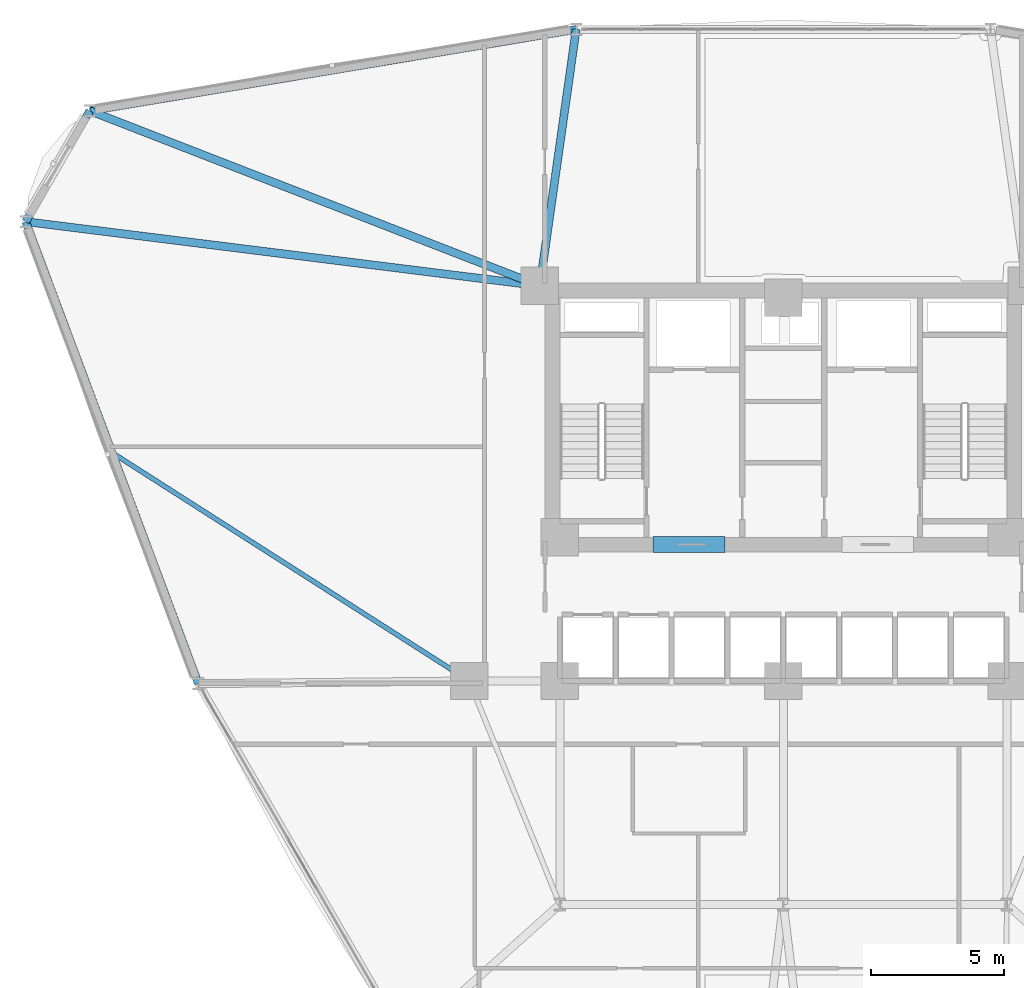
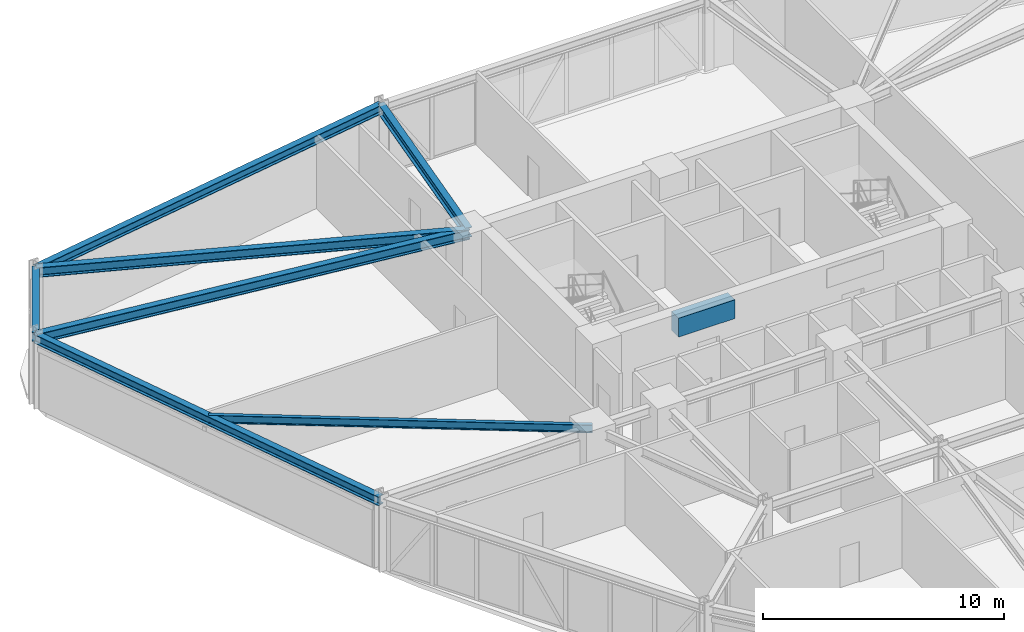
# One storey, part 11 of 22: 8 beams.
"""IFC4 building model written with IfcOpenShell, lengths in metres."""

from ifc_helpers import new_model, si_unit, derived_unit, direction, frame, origin, origin_2d, place, context, subcontext, project, spatial, rectangle, i_section, extrude, source, transform, mapped, material, material_profile, profile_set, type_object, element, save


model = new_model("IFC4")

# Units and contexts
model_context = context("Model", 3, precision=1e-05, world=origin(), true_north=direction((0.0, 1.0)))
body_context = subcontext(model_context, "Body", "Model", "MODEL_VIEW")
ifc_project = project(units=[si_unit("LENGTHUNIT", "METRE"), si_unit("AREAUNIT", "SQUARE_METRE"), si_unit("VOLUMEUNIT", "CUBIC_METRE"), si_unit("PLANEANGLEUNIT", "RADIAN"), si_unit("MASSUNIT", "GRAM", prefix="KILO"), derived_unit("THERMALTRANSMITTANCEUNIT", [(si_unit("POWERUNIT", "WATT"), 1), (si_unit("LENGTHUNIT", "METRE"), -2), (si_unit("THERMODYNAMICTEMPERATUREUNIT", "KELVIN"), -1)])], contexts=[model_context])

# Site, building, storey
site_placement = place(None, origin())
site = spatial("IfcSite", under=ifc_project, at=site_placement, CompositionType="ELEMENT")
building_placement = place(site_placement, origin())
building = spatial("IfcBuilding", under=site, at=building_placement, Name="Korsvarv Bourse and Concert Hall", CompositionType="ELEMENT")
storey_placement = place(building_placement, frame((0.0, 0.0, 51.300048828125)))
storey = spatial("IfcBuildingStorey", under=building, at=storey_placement, Name="L12", CompositionType="ELEMENT", Elevation=51.300048828125)

# Beams
ifc_material_1 = material(Name="Concrete C55/67", Category="concrete")
ifc_material_profile_1 = material_profile(ifc_material_1, rectangle(XDim=0.60009765625, YDim=0.949951171875, at=origin_2d()), Name="RC-BM 600x950")
ifc_profile_set_1 = profile_set([ifc_material_profile_1], Name="Concrete C55/67")
beam_type_1 = type_object("IfcBeamType", Name="BM-CPL", PredefinedType="LINTEL", material=ifc_profile_set_1)
shared_shape_1 = source(origin(), body_context, "Body", "SweptSolid", [
    extrude(rectangle(XDim=0.60009765625, YDim=0.949951171875, at=origin_2d()), origin(), (0.0, 0.0, 1.0), 2.699951171875),
])
beam_1_placement = place(storey_placement, frame((31.10009765625, 37.52490234375, 3.204833984375), z_axis=(1.0, 0.0, 0.0), x_axis=(0.0, 1.0, 0.0)))
element("IfcBeam", 1, at=beam_1_placement, inside=storey, type_object=beam_type_1, Name="L12 Core Coupling Beam West", PredefinedType="LINTEL", context=body_context, shape_type="MappedRepresentation", body=[
    mapped(shared_shape_1, transform((0.0, 0.0, 0.0), scale=1.0)),
])
ifc_material_2 = material(Name="Steel S355", Category="steel")
ifc_material_profile_2 = material_profile(ifc_material_2, i_section(OverallWidth=0.300048828125, OverallDepth=0.449951171875, WebThickness=0.013916015625, FlangeThickness=0.02587890625, FilletRadius=0.02099609375, at=origin_2d()), Name="HEB 450")
ifc_profile_set_2 = profile_set([ifc_material_profile_2], Name="Steel S355")
beam_type_2 = type_object("IfcBeamType", Name="BM-HEB450", PredefinedType="SPANDREL", material=ifc_profile_set_2)
shared_shape_2 = source(origin(), body_context, "Body", "SweptSolid", [
    extrude(i_section(OverallWidth=0.300048828125, OverallDepth=0.449951171875, WebThickness=0.013916015625, FlangeThickness=0.02587890625, FilletRadius=0.02099609375, at=origin_2d()), origin(), (0.0, 0.0, 1.0), 4.810791015625),
])
beam_2_placement = place(storey_placement, frame((9.930908203125, 53.82861328125, 3.454833984375), z_axis=(-0.500019702373, -0.866014028315, 0.0), x_axis=(0.866014028315, -0.500019702373, 0.0)))
element("IfcBeam", 2, at=beam_2_placement, inside=storey, type_object=beam_type_2, Name="L12 beam B-08", PredefinedType="SPANDREL", context=body_context, shape_type="MappedRepresentation", body=[
    mapped(shared_shape_2, transform((0.0, 0.0, 0.0), scale=1.0)),
])
shared_shape_3 = source(origin(), body_context, "Body", "SweptSolid", [
    extrude(i_section(OverallWidth=0.300048828125, OverallDepth=0.449951171875, WebThickness=0.013916015625, FlangeThickness=0.02587890625, FilletRadius=0.02099609375, at=origin_2d()), origin(), (0.0, 0.0, 1.0), 18.538818359375),
])
for number, where, z_axis, x_axis, name in (
    (3, (28.21533203125, 56.889404296875, 3.454833984375), (-0.98627657502, -0.16510153714, 0.0), (0.16510153714, -0.98627657502, 0.0), "L12 beam B-08"),
    (4, (7.525390625, 49.662353515625, 3.454833984375), (0.35015342957, -0.936692359188, 0.0), (0.936692359188, 0.35015342957, 0.0), "L12 beam B-08"),
):
    element("IfcBeam", number, at=place(storey_placement, frame(where, z_axis=z_axis, x_axis=x_axis)), inside=storey, type_object=beam_type_2, Name=name, PredefinedType="SPANDREL", context=body_context, shape_type="MappedRepresentation", body=[
        mapped(shared_shape_3, transform((0.0, 0.0, 0.0), scale=1.0)),
    ])
ifc_material_profile_3 = material_profile(ifc_material_2, i_section(OverallWidth=0.300048828125, OverallDepth=0.5, WebThickness=0.014404296875, FlangeThickness=0.028076171875, FilletRadius=0.02392578125, at=origin_2d()), Name="HEB 500")
ifc_profile_set_3 = profile_set([ifc_material_profile_3], Name="Steel S355")
beam_type_3 = type_object("IfcBeamType", Name="BM-HEB500", PredefinedType="BEAM", material=ifc_profile_set_3)
shared_shape_4 = source(origin(), body_context, "Body", "SweptSolid", [
    extrude(i_section(OverallWidth=0.300048828125, OverallDepth=0.5, WebThickness=0.014404296875, FlangeThickness=0.028076171875, FilletRadius=0.02392578125, at=origin_2d()), origin(), (0.0, 0.0, 1.0), 19.474609375),
])
beam_3_placement = place(storey_placement, frame((7.525390625, 49.662353515625, 3.429931640625), z_axis=(0.992298307048, -0.123871182403, 0.0), x_axis=(0.123871182403, 0.992298307048, 0.0)))
element("IfcBeam", 5, at=beam_3_placement, inside=storey, type_object=beam_type_3, Name="L12 beam B-07", PredefinedType="BEAM", context=body_context, shape_type="MappedRepresentation", body=[
    mapped(shared_shape_4, transform((0.0, 0.0, 0.0), scale=1.0)),
])
shared_shape_5 = source(origin(), body_context, "Body", "SweptSolid", [
    extrude(i_section(OverallWidth=0.300048828125, OverallDepth=0.5, WebThickness=0.014404296875, FlangeThickness=0.028076171875, FilletRadius=0.02392578125, at=origin_2d()), origin(), (0.0, 0.0, 1.0), 18.153076171875),
])
beam_4_placement = place(storey_placement, frame((9.930908203125, 53.82861328125, 3.429931640625), z_axis=(0.932024609168, -0.362394988797, 0.0), x_axis=(0.362394988797, 0.932024609168, 0.0)))
element("IfcBeam", 6, at=beam_4_placement, inside=storey, type_object=beam_type_3, Name="L12 beam B-07", PredefinedType="BEAM", context=body_context, shape_type="MappedRepresentation", body=[
    mapped(shared_shape_5, transform((0.0, 0.0, 0.0), scale=1.0)),
])
shared_shape_6 = source(origin(), body_context, "Body", "SweptSolid", [
    extrude(i_section(OverallWidth=0.300048828125, OverallDepth=0.5, WebThickness=0.014404296875, FlangeThickness=0.028076171875, FilletRadius=0.02392578125, at=origin_2d()), origin(), (0.0, 0.0, 1.0), 9.735595703125),
])
beam_5_placement = place(storey_placement, frame((28.21533203125, 56.889404296875, 3.429931640625), z_axis=(-0.140231095274, -0.990118800911, 0.0), x_axis=(0.990118800911, -0.140231095274, 0.0)))
element("IfcBeam", 7, at=beam_5_placement, inside=storey, type_object=beam_type_3, Name="L12 beam B-07", PredefinedType="BEAM", context=body_context, shape_type="MappedRepresentation", body=[
    mapped(shared_shape_6, transform((0.0, 0.0, 0.0), scale=1.0)),
])
ifc_material_profile_4 = material_profile(ifc_material_2, i_section(OverallWidth=0.179931640625, OverallDepth=0.39990234375, WebThickness=0.008544921875, FlangeThickness=0.013427734375, FilletRadius=0.02099609375, at=origin_2d()), Name="IPE 400")
ifc_profile_set_4 = profile_set([ifc_material_profile_4], Name="Steel S355")
beam_type_4 = type_object("IfcBeamType", Name="BM-IPE400", PredefinedType="JOIST", material=ifc_profile_set_4)
shared_shape_7 = source(origin(), body_context, "Body", "SweptSolid", [
    extrude(i_section(OverallWidth=0.179931640625, OverallDepth=0.39990234375, WebThickness=0.008544921875, FlangeThickness=0.013427734375, FilletRadius=0.02099609375, at=origin_2d()), origin(), (0.0, 0.0, 1.0), 15.935791015625),
])
beam_6_placement = place(storey_placement, frame((10.77099609375, 40.979736328125, 3.47998046875), z_axis=(0.842689888212, -0.538399249912, 0.0), x_axis=(0.538399249912, 0.842689888212, 0.0)))
element("IfcBeam", 8, at=beam_6_placement, inside=storey, type_object=beam_type_4, Name="L12 beam J-05", PredefinedType="JOIST", context=body_context, shape_type="MappedRepresentation", body=[
    mapped(shared_shape_7, transform((0.0, 0.0, 0.0), scale=1.0)),
])

save(model, "model.ifc")
